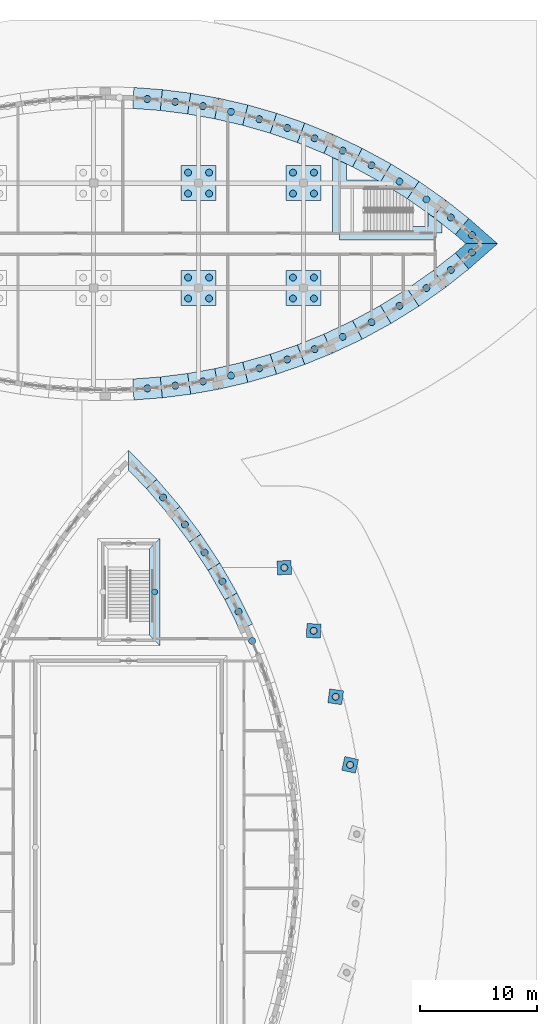
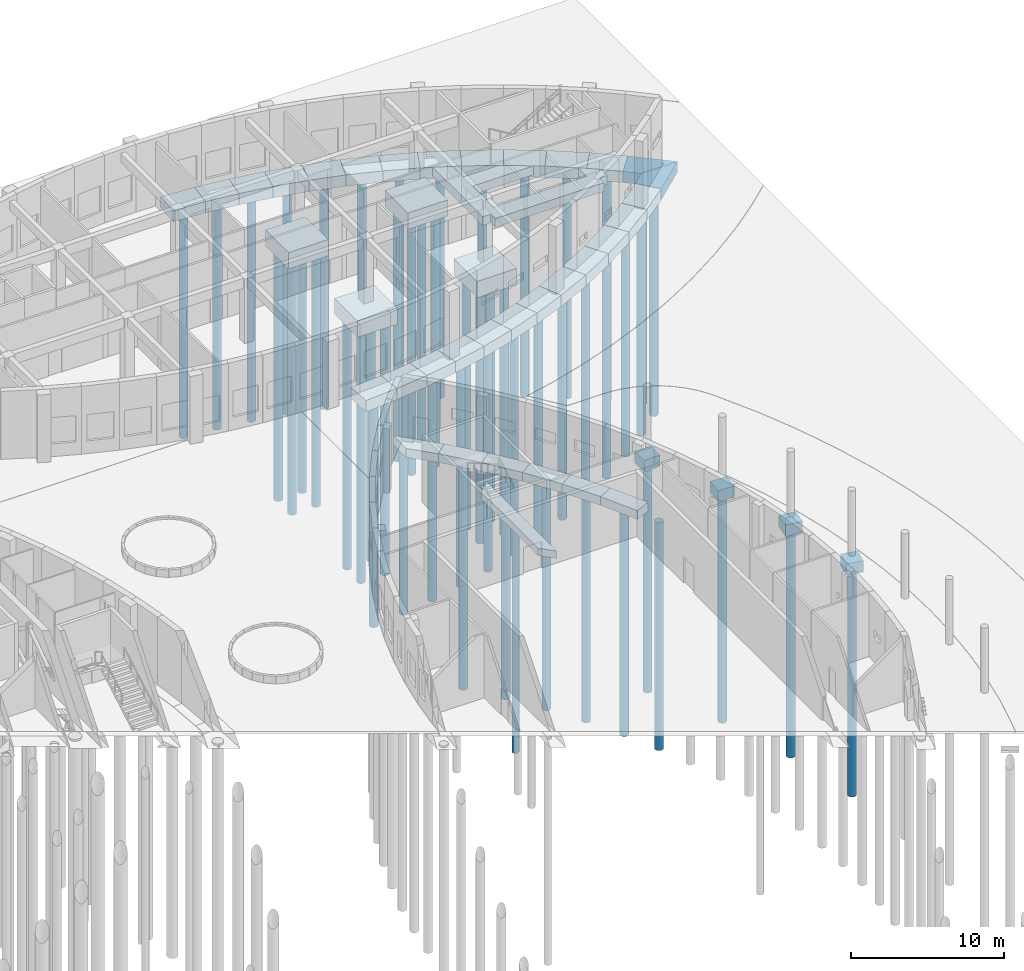
# One storey, part 10 of 82: 53 piles, 42 footings.
"""IFC4 building model written with IfcOpenShell, lengths in metres."""

from ifc_helpers import new_model, si_unit, direction, frame, origin, origin_2d, place, context, subcontext, project, spatial, polyline, rectangle, circle, outline, extrude, material, material_profile, profile_set, type_object, element, save


model = new_model("IFC4")

# Units and contexts
model_context = context("Model", 3, precision=1e-05, world=origin(), true_north=direction((0.0, 1.0)))
body_context = subcontext(model_context, "Body", "Model", "MODEL_VIEW")
ifc_project = project(units=[si_unit("LENGTHUNIT", "METRE"), si_unit("AREAUNIT", "SQUARE_METRE"), si_unit("VOLUMEUNIT", "CUBIC_METRE"), si_unit("PLANEANGLEUNIT", "RADIAN"), si_unit("MASSUNIT", "GRAM", prefix="KILO")], contexts=[model_context])

# Site, building, storey
site_placement = place(None, origin())
site = spatial("IfcSite", under=ifc_project, at=site_placement, CompositionType="ELEMENT")
building_placement = place(site_placement, origin())
building = spatial("IfcBuilding", under=site, at=building_placement, Name="Tide Square Theatres", CompositionType="ELEMENT")
storey_placement = place(building_placement, origin())
storey = spatial("IfcBuildingStorey", under=building, at=storey_placement, Name="L00", CompositionType="ELEMENT", Elevation=0.0)

# Piles
ifc_material_1 = material(Name="Concrete C30", Category="concrete")
ifc_material_profile_1 = material_profile(ifc_material_1, circle(Radius=0.25, at=origin_2d()))
ifc_profile_set_1 = profile_set([ifc_material_profile_1], Name="Concrete C30")
pile_type_1 = type_object("IfcPileType", Name="Bored pile D500", PredefinedType="BORED", material=ifc_profile_set_1)
pile_placement = place(storey_placement, frame((134.22509765625, 67.925048828125, -0.699951171875), z_axis=(0.0, 0.0, -1.0), x_axis=(1.0, 0.0, 0.0)))
element("IfcPile", 1, at=pile_placement, inside=storey, type_object=pile_type_1, Name="Bored pile 061", PredefinedType="BORED", context=body_context, shape_type="SweptSolid", body=[
    extrude(circle(Radius=0.25, at=origin_2d()), origin(), (0.0, 0.0, 1.0), 18.14990234375),
])
ifc_material_2 = material(Name="Concrete C30", Category="concrete")
ifc_material_profile_2 = material_profile(ifc_material_2, circle(Radius=0.300048828125, at=origin_2d()))
ifc_profile_set_2 = profile_set([ifc_material_profile_2], Name="Concrete C30")
pile_type_2 = type_object("IfcPileType", Name="Bored pile D600", PredefinedType="BORED", material=ifc_profile_set_2)
for number, where, z_axis, x_axis, name in (
    (2, (151.00390625, 53.078369140625, -1.0), (0.0, 0.0, -1.0), (1.0, 0.0, 0.0), "Foyer bored pile"),
    (3, (149.7646484375, 58.919921875, -1.0), (0.0, 0.0, -1.0), (1.0, 0.0, 0.0), "Foyer bored pile"),
    (4, (147.872802734375, 64.583740234375, -1.0), (0.0, 0.0, -1.0), (1.0, 0.0, 0.0), "Foyer bored pile"),
    (5, (145.357666015625, 70.0, -1.0), (0.0, 0.0, -1.0), (1.0, 0.0, 0.0), "Foyer bored pile"),
    (6, (142.594482421875, 63.70751953125, -0.800048828125), (0.0, 0.0, -1.0), (1.0, 0.0, 0.0), "Bored pile 022"),
    (7, (141.4287109375, 66.2294921875, -0.800048828125), (0.0, 0.0, -1.0), (1.0, 0.0, 0.0), "Bored pile 023"),
    (8, (140.046875, 68.813720703125, -0.800048828125), (0.0, 0.0, -1.0), (1.0, 0.0, 0.0), "Bored pile 024"),
    (9, (138.50927734375, 71.307861328125, -0.800048828125), (0.0, 0.0, -1.0), (1.0, 0.0, 0.0), "Bored pile 025"),
    (10, (136.821533203125, 73.703125, -0.800048828125), (0.0, 0.0, -1.0), (1.0, 0.0, 0.0), "Bored pile 026"),
    (11, (134.95654296875, 76.027587890625, -0.800048828125), (0.0, 0.0, -1.0), (1.0, 0.0, 0.0), "Bored pile 027"),
    (12, (133.604736328125, 85.382568359375, -1.0), (0.0, 0.0, -1.0), (1.0, 0.0, 0.0), "Rehearsal Block wall pile 16"),
    (13, (135.997802734375, 85.624267578125, -1.0), (0.0, 0.0, -1.0), (1.0, 0.0, 0.0), "Rehearsal Block wall pile 17"),
    (14, (138.37548828125, 85.986083984375, -1.0), (0.0, 0.0, -1.0), (1.0, 0.0, 0.0), "Rehearsal Block wall pile 18"),
    (15, (140.783203125, 86.48046875, -1.0), (0.0, 0.0, -1.0), (1.0, 0.0, 0.0), "Rehearsal Block wall pile 19"),
    (16, (143.212890625, 87.11083984375, -1.0), (0.0, 0.0, -1.0), (1.0, 0.0, 0.0), "Rehearsal Block wall pile 20"),
    (17, (145.606201171875, 87.8681640625, -1.0), (0.0, 0.0, -1.0), (1.0, 0.0, 0.0), "Rehearsal Block wall pile 21"),
    (18, (147.956298828125, 88.75, -1.0), (0.0, 0.0, -1.0), (1.0, 0.0, 0.0), "Rehearsal Block wall pile 22"),
    (19, (150.37353515625, 89.812744140625, -1.0), (0.0, 0.0, -1.0), (1.0, 0.0, 0.0), "Rehearsal Block wall pile 23"),
    (20, (152.844482421875, 91.06640625, -1.0), (0.0, 0.0, -1.0), (1.0, 0.0, 0.0), "Rehearsal Block wall pile 24"),
    (21, (155.238525390625, 92.461181640625, -1.0), (0.0, 0.0, -1.0), (1.0, 0.0, 0.0), "Rehearsal Block wall pile 25"),
    (22, (157.547607421875, 93.992431640625, -1.0), (0.0, 0.0, -1.0), (1.0, 0.0, 0.0), "Rehearsal Block wall pile 26"),
    (23, (159.646484375, 95.555908203125, -1.0), (0.0, 0.0, -1.0), (1.0, 0.0, 0.0), "Rehearsal Block wall pile 27"),
    (24, (161.454833984375, 97.06005859375, -1.0), (0.0, 0.0, -1.0), (1.0, 0.0, 0.0), "Rehearsal Block wall pile 28"),
    (25, (161.454833984375, 98.539794921875, -1.0), (0.0, 0.0, -1.0), (1.0, 0.0, 0.0), "Rehearsal Block wall pile 29"),
    (26, (159.646484375, 100.044189453125, -1.0), (0.0, 0.0, -1.0), (1.0, 0.0, 0.0), "Rehearsal Block wall pile 30"),
    (27, (157.547607421875, 101.607666015625, -1.0), (0.0, 0.0, -1.0), (1.0, 0.0, 0.0), "Rehearsal Block wall pile 31"),
    (28, (155.238525390625, 103.138916015625, -1.0), (0.0, 0.0, -1.0), (1.0, 0.0, 0.0), "Rehearsal Block wall pile 32"),
    (29, (152.844482421875, 104.533447265625, -1.0), (0.0, 0.0, -1.0), (1.0, 0.0, 0.0), "Rehearsal Block wall pile 33"),
    (30, (150.37353515625, 105.787109375, -1.0), (0.0, 0.0, -1.0), (1.0, 0.0, 0.0), "Rehearsal Block wall pile 34"),
    (31, (147.956298828125, 106.85009765625, -1.0), (0.0, 0.0, -1.0), (1.0, 0.0, 0.0), "Rehearsal Block wall pile 35"),
    (32, (145.606201171875, 107.73193359375, -1.0), (0.0, 0.0, -1.0), (1.0, 0.0, 0.0), "Rehearsal Block wall pile 36"),
    (33, (143.212890625, 108.489013671875, -1.0), (0.0, 0.0, -1.0), (1.0, 0.0, 0.0), "Rehearsal Block wall pile 37"),
    (34, (140.783203125, 109.11962890625, -1.0), (0.0, 0.0, -1.0), (1.0, 0.0, 0.0), "Rehearsal Block wall pile 38"),
    (35, (138.37548828125, 109.61376953125, -1.0), (0.0, 0.0, -1.0), (1.0, 0.0, 0.0), "Rehearsal Block wall pile 39"),
    (36, (135.997802734375, 109.9755859375, -1.0), (0.0, 0.0, -1.0), (1.0, 0.0, 0.0), "Rehearsal Block wall pile 40"),
    (37, (133.604736328125, 110.21728515625, -1.0), (0.0, 0.0, -1.0), (1.0, 0.0, 0.0), "Rehearsal Block wall pile 41"),
):
    element("IfcPile", number, at=place(storey_placement, frame(where, z_axis=z_axis, x_axis=x_axis)), inside=storey, type_object=pile_type_2, Name=name, PredefinedType="BORED", context=body_context, shape_type="SweptSolid", body=[
        extrude(circle(Radius=0.300048828125, at=origin_2d()), origin(), (0.0, 0.0, 1.0), 18.14990234375),
    ])
for number, where, z_axis, x_axis, name in (
    (38, (137.10009765625, 93.10009765625, -1.39990234375), (0.0, 0.0, -1.0), (1.0, 0.0, 0.0), "Rehearsal Block column pile 6.1"),
    (39, (138.89990234375, 93.10009765625, -1.39990234375), (0.0, 0.0, -1.0), (1.0, 0.0, 0.0), "Rehearsal Block column pile 6.2"),
    (40, (138.89990234375, 94.89990234375, -1.39990234375), (0.0, 0.0, -1.0), (1.0, 0.0, 0.0), "Rehearsal Block column pile 6.3"),
    (41, (137.10009765625, 94.89990234375, -1.39990234375), (0.0, 0.0, -1.0), (1.0, 0.0, 0.0), "Rehearsal Block column pile 6.4"),
    (42, (137.10009765625, 102.10009765625, -1.39990234375), (0.0, 0.0, -1.0), (1.0, 0.0, 0.0), "Rehearsal Block column pile 7.1"),
    (43, (138.89990234375, 102.10009765625, -1.39990234375), (0.0, 0.0, -1.0), (1.0, 0.0, 0.0), "Rehearsal Block column pile 7.2"),
    (44, (138.89990234375, 103.89990234375, -1.39990234375), (0.0, 0.0, -1.0), (1.0, 0.0, 0.0), "Rehearsal Block column pile 7.3"),
    (45, (137.10009765625, 103.89990234375, -1.39990234375), (0.0, 0.0, -1.0), (1.0, 0.0, 0.0), "Rehearsal Block column pile 7.4"),
    (46, (146.10009765625, 93.10009765625, -1.39990234375), (0.0, 0.0, -1.0), (1.0, 0.0, 0.0), "Rehearsal Block column pile 8.1"),
    (47, (147.89990234375, 93.10009765625, -1.39990234375), (0.0, 0.0, -1.0), (1.0, 0.0, 0.0), "Rehearsal Block column pile 8.2"),
    (48, (147.89990234375, 94.89990234375, -1.39990234375), (0.0, 0.0, -1.0), (1.0, 0.0, 0.0), "Rehearsal Block column pile 8.3"),
    (49, (146.10009765625, 94.89990234375, -1.39990234375), (0.0, 0.0, -1.0), (1.0, 0.0, 0.0), "Rehearsal Block column pile 8.4"),
    (50, (146.10009765625, 102.10009765625, -1.39990234375), (0.0, 0.0, -1.0), (1.0, 0.0, 0.0), "Rehearsal Block column pile 9.1"),
    (51, (147.89990234375, 102.10009765625, -1.39990234375), (0.0, 0.0, -1.0), (1.0, 0.0, 0.0), "Rehearsal Block column pile 9.2"),
    (52, (147.89990234375, 103.89990234375, -1.39990234375), (0.0, 0.0, -1.0), (1.0, 0.0, 0.0), "Rehearsal Block column pile 9.3"),
    (53, (146.10009765625, 103.89990234375, -1.39990234375), (0.0, 0.0, -1.0), (1.0, 0.0, 0.0), "Rehearsal Block column pile 9.4"),
):
    element("IfcPile", number, at=place(storey_placement, frame(where, z_axis=z_axis, x_axis=x_axis)), inside=storey, type_object=pile_type_2, Name=name, PredefinedType="BORED", context=body_context, shape_type="SweptSolid", body=[
        extrude(circle(Radius=0.300048828125, at=origin_2d()), origin(), (0.0, 0.0, 1.0), 20.14990234375),
    ])

# Footings
ifc_material_3 = material(Name="Concrete C35", Category="concrete")
footing_type_1 = type_object("IfcFootingType", Name="Pile cap 1 piles D600", PredefinedType="PILE_CAP", material=ifc_material_3)
for number, where, z_axis, x_axis, name in (
    (54, (151.00390625, 53.078369140625, -1.14990234375), (0.0, 0.0, 1.0), (0.217373283772, 0.976088549007, 0.0), "Foyer pile cap"),
    (55, (149.7646484375, 58.919921875, -1.14990234375), (0.0, 0.0, 1.0), (0.136773753699, 0.990602311879, 0.0), "Foyer pile cap"),
    (56, (147.872802734375, 64.583740234375, -1.14990234375), (0.0, 0.0, 1.0), (0.053407832351, 0.998572783248, 0.0), "Foyer pile cap"),
    (57, (145.357666015625, 70.0, -1.14990234375), (0.0, 0.0, 1.0), (-0.032577786518, 0.99946920304, 0.0), "Foyer pile cap"),
):
    element("IfcFooting", number, at=place(storey_placement, frame(where, z_axis=z_axis, x_axis=x_axis)), inside=storey, type_object=footing_type_1, Name=name, PredefinedType="PILE_CAP", context=body_context, shape_type="SweptSolid", body=[
        extrude(rectangle(XDim=1.199951171875, YDim=1.199951171875, at=origin_2d()), origin(), (0.0, 0.0, 1.0), 0.89990234375),
    ])
ifc_material_4 = material(Name="Concrete C35", Category="concrete")
footing_type_2 = type_object("IfcFootingType", Name="Pile cap 4 piles D600", PredefinedType="PILE_CAP", material=ifc_material_4)
footing_1_placement = place(storey_placement, frame((0.0, 0.0, -1.550048828125)))
element("IfcFooting", 58, at=footing_1_placement, inside=storey, type_object=footing_type_2, Name="Rehearsal Block pile cap 6", PredefinedType="PILE_CAP", context=body_context, shape_type="SweptSolid", body=[
    extrude(outline(polyline([(136.5, 92.5), (139.5, 92.5), (139.5, 95.5), (136.5, 95.5), (136.5, 92.5)])), origin(), (0.0, 0.0, 1.0), 1.300048828125),
])
footing_2_placement = place(storey_placement, frame((0.0, 0.0, -1.550048828125)))
element("IfcFooting", 59, at=footing_2_placement, inside=storey, type_object=footing_type_2, Name="Rehearsal Block pile cap 7", PredefinedType="PILE_CAP", context=body_context, shape_type="SweptSolid", body=[
    extrude(outline(polyline([(136.5, 101.5), (139.5, 101.5), (139.5, 104.5), (136.5, 104.5), (136.5, 101.5)])), origin(), (0.0, 0.0, 1.0), 1.300048828125),
])
footing_3_placement = place(storey_placement, frame((0.0, 0.0, -1.550048828125)))
element("IfcFooting", 60, at=footing_3_placement, inside=storey, type_object=footing_type_2, Name="Rehearsal Block pile cap 8", PredefinedType="PILE_CAP", context=body_context, shape_type="SweptSolid", body=[
    extrude(outline(polyline([(145.5, 92.5), (148.5, 92.5), (148.5, 95.5), (145.5, 95.5), (145.5, 92.5)])), origin(), (0.0, 0.0, 1.0), 1.300048828125),
])
footing_4_placement = place(storey_placement, frame((0.0, 0.0, -1.550048828125)))
element("IfcFooting", 61, at=footing_4_placement, inside=storey, type_object=footing_type_2, Name="Rehearsal Block pile cap 9", PredefinedType="PILE_CAP", context=body_context, shape_type="SweptSolid", body=[
    extrude(outline(polyline([(145.5, 101.5), (148.5, 101.5), (148.5, 104.5), (145.5, 104.5), (145.5, 101.5)])), origin(), (0.0, 0.0, 1.0), 1.300048828125),
])
ifc_material_5 = material(Name="Concrete C35", Category="concrete")
footing_type_3 = type_object("IfcFootingType", Name="Strip footing 1200 x 700", PredefinedType="STRIP_FOOTING", material=ifc_material_5)
footing_5_placement = place(storey_placement, frame((0.0, 0.0, -0.949951171875)))
element("IfcFooting", 62, at=footing_5_placement, inside=storey, type_object=footing_type_3, Name="Black Box Theatre wall strip footing 023", PredefinedType="STRIP_FOOTING", context=body_context, shape_type="SweptSolid", body=[
    extrude(outline(polyline([(142.62548828125, 65.167236328125), (141.306884765625, 67.825927734375), (140.248046875, 67.259765625), (141.534912109375, 64.665283203125), (142.62548828125, 65.167236328125)])), origin(), (0.0, 0.0, 1.0), 0.699951171875),
])
footing_6_placement = place(storey_placement, frame((0.0, 0.0, -0.949951171875)))
element("IfcFooting", 63, at=footing_6_placement, inside=storey, type_object=footing_type_3, Name="Black Box Theatre wall strip footing 024", PredefinedType="STRIP_FOOTING", context=body_context, shape_type="SweptSolid", body=[
    extrude(outline(polyline([(141.306884765625, 67.825927734375), (139.827392578125, 70.3994140625), (138.805419921875, 69.769287109375), (140.248046875, 67.259765625), (141.306884765625, 67.825927734375)])), origin(), (0.0, 0.0, 1.0), 0.699951171875),
])
footing_7_placement = place(storey_placement, frame((0.0, 0.0, -0.949951171875)))
element("IfcFooting", 64, at=footing_7_placement, inside=storey, type_object=footing_type_3, Name="Black Box Theatre wall strip footing 025", PredefinedType="STRIP_FOOTING", context=body_context, shape_type="SweptSolid", body=[
    extrude(outline(polyline([(139.827392578125, 70.3994140625), (138.19287109375, 72.877197265625), (137.21142578125, 72.185791015625), (138.805419921875, 69.769287109375), (139.827392578125, 70.3994140625)])), origin(), (0.0, 0.0, 1.0), 0.699951171875),
])
footing_8_placement = place(storey_placement, frame((0.0, 0.0, -0.949951171875)))
element("IfcFooting", 65, at=footing_8_placement, inside=storey, type_object=footing_type_3, Name="Black Box Theatre wall strip footing 026", PredefinedType="STRIP_FOOTING", context=body_context, shape_type="SweptSolid", body=[
    extrude(outline(polyline([(138.19287109375, 72.877197265625), (136.409423828125, 75.250244140625), (135.47265625, 74.49951171875), (137.21142578125, 72.185791015625), (138.19287109375, 72.877197265625)])), origin(), (0.0, 0.0, 1.0), 0.699951171875),
])
footing_9_placement = place(storey_placement, frame((0.0, 0.0, -0.949951171875)))
element("IfcFooting", 66, at=footing_9_placement, inside=storey, type_object=footing_type_3, Name="Black Box Theatre wall strip footing 027", PredefinedType="STRIP_FOOTING", context=body_context, shape_type="SweptSolid", body=[
    extrude(outline(polyline([(136.409423828125, 75.250244140625), (134.416015625, 77.58447265625), (133.528076171875, 76.776123046875), (135.47265625, 74.49951171875), (136.409423828125, 75.250244140625)])), origin(), (0.0, 0.0, 1.0), 0.699951171875),
])
footing_10_placement = place(storey_placement, frame((0.0, 0.0, -0.949951171875)))
element("IfcFooting", 67, at=footing_10_placement, inside=storey, type_object=footing_type_3, Name="Black Box Theatre wall strip footing 028", PredefinedType="STRIP_FOOTING", context=body_context, shape_type="SweptSolid", body=[
    extrude(outline(polyline([(134.416015625, 77.58447265625), (132.0, 80.074462890625), (132.0, 78.35107421875), (133.528076171875, 76.776123046875), (134.416015625, 77.58447265625)])), origin(), (0.0, 0.0, 1.0), 0.699951171875),
])
footing_11_placement = place(storey_placement, frame((0.0, 0.0, -0.949951171875)))
element("IfcFooting", 68, at=footing_11_placement, inside=storey, type_object=footing_type_3, Name="Rehearsal Block core wall footing 2", PredefinedType="STRIP_FOOTING", context=body_context, shape_type="SweptSolid", body=[
    extrude(outline(polyline([(158.300048828125, 98.699951171875), (158.89990234375, 98.699951171875), (158.89990234375, 99.487060546875), (158.14111328125, 100.08740234375), (157.699951171875, 100.398681640625), (157.699951171875, 99.300048828125), (150.699951171875, 99.300048828125), (150.699951171875, 102.050048828125), (155.284912109375, 102.050048828125), (153.6083984375, 103.093017578125), (153.31982421875, 103.25), (150.699951171875, 103.25), (150.699951171875, 104.63818359375), (149.5, 105.203857421875), (149.5, 102.64990234375), (149.5, 98.699951171875), (150.10009765625, 98.699951171875), (150.10009765625, 98.10009765625), (158.300048828125, 98.10009765625), (158.300048828125, 98.699951171875)])), origin(), (0.0, 0.0, 1.0), 0.699951171875),
])
ifc_material_6 = material(Name="Concrete C35", Category="concrete")
footing_type_4 = type_object("IfcFootingType", Name="Strip footing 1800 x 900", PredefinedType="STRIP_FOOTING", material=ifc_material_6)
footing_12_placement = place(storey_placement, frame((0.0, 0.0, -1.14990234375)))
element("IfcFooting", 69, at=footing_12_placement, inside=storey, type_object=footing_type_4, Name="Rehearsal Block strip footing 16", PredefinedType="STRIP_FOOTING", context=body_context, shape_type="SweptSolid", body=[
    extrude(outline(polyline([(132.450439453125, 84.392822265625), (134.894775390625, 84.57763671875), (134.7138671875, 86.369140625), (132.35986328125, 86.19091796875), (132.450439453125, 84.392822265625)])), origin(), (0.0, 0.0, 1.0), 0.89990234375),
])
footing_13_placement = place(storey_placement, frame((0.0, 0.0, -1.14990234375)))
element("IfcFooting", 70, at=footing_13_placement, inside=storey, type_object=footing_type_4, Name="Rehearsal Block strip footing 17", PredefinedType="STRIP_FOOTING", context=body_context, shape_type="SweptSolid", body=[
    extrude(outline(polyline([(134.894775390625, 84.57763671875), (137.32666015625, 84.88525390625), (137.055908203125, 86.665283203125), (134.7138671875, 86.369140625), (134.894775390625, 84.57763671875)])), origin(), (0.0, 0.0, 1.0), 0.89990234375),
])
footing_14_placement = place(storey_placement, frame((0.0, 0.0, -1.14990234375)))
element("IfcFooting", 71, at=footing_14_placement, inside=storey, type_object=footing_type_4, Name="Rehearsal Block strip footing 18", PredefinedType="STRIP_FOOTING", context=body_context, shape_type="SweptSolid", body=[
    extrude(outline(polyline([(137.32666015625, 84.88525390625), (139.740478515625, 85.31494140625), (139.37939453125, 87.0791015625), (137.055908203125, 86.665283203125), (137.32666015625, 84.88525390625)])), origin(), (0.0, 0.0, 1.0), 0.89990234375),
])
footing_15_placement = place(storey_placement, frame((0.0, 0.0, -1.14990234375)))
element("IfcFooting", 72, at=footing_15_placement, inside=storey, type_object=footing_type_4, Name="Rehearsal Block strip footing 19", PredefinedType="STRIP_FOOTING", context=body_context, shape_type="SweptSolid", body=[
    extrude(outline(polyline([(139.740478515625, 85.31494140625), (142.232421875, 85.892333984375), (141.7802734375, 87.63525390625), (139.37939453125, 87.0791015625), (139.740478515625, 85.31494140625)])), origin(), (0.0, 0.0, 1.0), 0.89990234375),
])
footing_16_placement = place(storey_placement, frame((0.0, 0.0, -1.14990234375)))
element("IfcFooting", 73, at=footing_16_placement, inside=storey, type_object=footing_type_4, Name="Rehearsal Block strip footing 20", PredefinedType="STRIP_FOOTING", context=body_context, shape_type="SweptSolid", body=[
    extrude(outline(polyline([(142.232421875, 85.892333984375), (144.691162109375, 86.599609375), (144.14794921875, 88.31640625), (141.7802734375, 87.63525390625), (142.232421875, 85.892333984375)])), origin(), (0.0, 0.0, 1.0), 0.89990234375),
])
footing_17_placement = place(storey_placement, frame((0.0, 0.0, -1.14990234375)))
element("IfcFooting", 74, at=footing_17_placement, inside=storey, type_object=footing_type_4, Name="Rehearsal Block strip footing 21", PredefinedType="STRIP_FOOTING", context=body_context, shape_type="SweptSolid", body=[
    extrude(outline(polyline([(144.691162109375, 86.599609375), (147.109130859375, 87.435302734375), (146.4765625, 89.12109375), (144.14794921875, 88.31640625), (144.691162109375, 86.599609375)])), origin(), (0.0, 0.0, 1.0), 0.89990234375),
])
footing_18_placement = place(storey_placement, frame((0.0, 0.0, -1.14990234375)))
element("IfcFooting", 75, at=footing_18_placement, inside=storey, type_object=footing_type_4, Name="Rehearsal Block strip footing 22", PredefinedType="STRIP_FOOTING", context=body_context, shape_type="SweptSolid", body=[
    extrude(outline(polyline([(147.109130859375, 87.435302734375), (149.48095703125, 88.39697265625), (148.758544921875, 90.04638671875), (146.4765625, 89.12109375), (147.109130859375, 87.435302734375)])), origin(), (0.0, 0.0, 1.0), 0.89990234375),
])
footing_19_placement = place(storey_placement, frame((0.0, 0.0, -1.14990234375)))
element("IfcFooting", 76, at=footing_19_placement, inside=storey, type_object=footing_type_4, Name="Rehearsal Block strip footing 23", PredefinedType="STRIP_FOOTING", context=body_context, shape_type="SweptSolid", body=[
    extrude(outline(polyline([(149.48095703125, 88.39697265625), (152.034423828125, 89.600830078125), (151.2197265625, 91.206787109375), (148.758544921875, 90.04638671875), (149.48095703125, 88.39697265625)])), origin(), (0.0, 0.0, 1.0), 0.89990234375),
])
footing_20_placement = place(storey_placement, frame((0.0, 0.0, -1.14990234375)))
element("IfcFooting", 77, at=footing_20_placement, inside=storey, type_object=footing_type_4, Name="Rehearsal Block strip footing 24", PredefinedType="STRIP_FOOTING", context=body_context, shape_type="SweptSolid", body=[
    extrude(outline(polyline([(152.034423828125, 89.600830078125), (154.514892578125, 90.951171875), (153.6083984375, 92.507080078125), (151.2197265625, 91.206787109375), (152.034423828125, 89.600830078125)])), origin(), (0.0, 0.0, 1.0), 0.89990234375),
])
footing_21_placement = place(storey_placement, frame((0.0, 0.0, -1.14990234375)))
element("IfcFooting", 78, at=footing_21_placement, inside=storey, type_object=footing_type_4, Name="Rehearsal Block strip footing 25", PredefinedType="STRIP_FOOTING", context=body_context, shape_type="SweptSolid", body=[
    extrude(outline(polyline([(154.514892578125, 90.951171875), (156.912841796875, 92.44287109375), (155.917724609375, 93.943603515625), (153.6083984375, 92.507080078125), (154.514892578125, 90.951171875)])), origin(), (0.0, 0.0, 1.0), 0.89990234375),
])
footing_22_placement = place(storey_placement, frame((0.0, 0.0, -1.14990234375)))
element("IfcFooting", 79, at=footing_22_placement, inside=storey, type_object=footing_type_4, Name="Rehearsal Block strip footing 26", PredefinedType="STRIP_FOOTING", context=body_context, shape_type="SweptSolid", body=[
    extrude(outline(polyline([(156.912841796875, 92.44287109375), (159.21923828125, 94.0703125), (158.14111328125, 95.5126953125), (155.917724609375, 93.943603515625), (156.912841796875, 92.44287109375)])), origin(), (0.0, 0.0, 1.0), 0.89990234375),
])
footing_23_placement = place(storey_placement, frame((0.0, 0.0, -1.14990234375)))
element("IfcFooting", 80, at=footing_23_placement, inside=storey, type_object=footing_type_4, Name="Rehearsal Block strip footing 27", PredefinedType="STRIP_FOOTING", context=body_context, shape_type="SweptSolid", body=[
    extrude(outline(polyline([(159.21923828125, 94.0703125), (161.189208984375, 95.62890625), (160.0361328125, 97.01171875), (158.14111328125, 95.5126953125), (159.21923828125, 94.0703125)])), origin(), (0.0, 0.0, 1.0), 0.89990234375),
])
footing_24_placement = place(storey_placement, frame((0.0, 0.0, -1.14990234375)))
element("IfcFooting", 81, at=footing_24_placement, inside=storey, type_object=footing_type_4, Name="Rehearsal Block strip footing 28", PredefinedType="STRIP_FOOTING", context=body_context, shape_type="SweptSolid", body=[
    extrude(outline(polyline([(161.189208984375, 95.62890625), (163.66064453125, 97.800048828125), (160.933349609375, 97.800048828125), (160.0361328125, 97.01171875), (161.189208984375, 95.62890625)])), origin(), (0.0, 0.0, 1.0), 0.89990234375),
])
footing_25_placement = place(storey_placement, frame((0.0, 0.0, -1.14990234375)))
element("IfcFooting", 82, at=footing_25_placement, inside=storey, type_object=footing_type_4, Name="Rehearsal Block strip footing 29", PredefinedType="STRIP_FOOTING", context=body_context, shape_type="SweptSolid", body=[
    extrude(outline(polyline([(163.66064453125, 97.800048828125), (161.189208984375, 99.97119140625), (160.0361328125, 98.58837890625), (160.933349609375, 97.800048828125), (163.66064453125, 97.800048828125)])), origin(), (0.0, 0.0, 1.0), 0.89990234375),
])
footing_26_placement = place(storey_placement, frame((0.0, 0.0, -1.14990234375)))
element("IfcFooting", 83, at=footing_26_placement, inside=storey, type_object=footing_type_4, Name="Rehearsal Block strip footing 30", PredefinedType="STRIP_FOOTING", context=body_context, shape_type="SweptSolid", body=[
    extrude(outline(polyline([(161.189208984375, 99.97119140625), (159.21923828125, 101.529541015625), (158.14111328125, 100.08740234375), (160.0361328125, 98.58837890625), (161.189208984375, 99.97119140625)])), origin(), (0.0, 0.0, 1.0), 0.89990234375),
])
footing_27_placement = place(storey_placement, frame((0.0, 0.0, -1.14990234375)))
element("IfcFooting", 84, at=footing_27_placement, inside=storey, type_object=footing_type_4, Name="Rehearsal Block strip footing 31", PredefinedType="STRIP_FOOTING", context=body_context, shape_type="SweptSolid", body=[
    extrude(outline(polyline([(159.21923828125, 101.529541015625), (156.912841796875, 103.1572265625), (155.917724609375, 101.656494140625), (158.14111328125, 100.08740234375), (159.21923828125, 101.529541015625)])), origin(), (0.0, 0.0, 1.0), 0.89990234375),
])
footing_28_placement = place(storey_placement, frame((0.0, 0.0, -1.14990234375)))
element("IfcFooting", 85, at=footing_28_placement, inside=storey, type_object=footing_type_4, Name="Rehearsal Block strip footing 32", PredefinedType="STRIP_FOOTING", context=body_context, shape_type="SweptSolid", body=[
    extrude(outline(polyline([(156.912841796875, 103.1572265625), (154.514892578125, 104.64892578125), (153.6083984375, 103.093017578125), (155.917724609375, 101.656494140625), (156.912841796875, 103.1572265625)])), origin(), (0.0, 0.0, 1.0), 0.89990234375),
])
footing_29_placement = place(storey_placement, frame((0.0, 0.0, -1.14990234375)))
element("IfcFooting", 86, at=footing_29_placement, inside=storey, type_object=footing_type_4, Name="Rehearsal Block strip footing 33", PredefinedType="STRIP_FOOTING", context=body_context, shape_type="SweptSolid", body=[
    extrude(outline(polyline([(154.514892578125, 104.64892578125), (152.034423828125, 105.9990234375), (151.2197265625, 104.393310546875), (153.6083984375, 103.093017578125), (154.514892578125, 104.64892578125)])), origin(), (0.0, 0.0, 1.0), 0.89990234375),
])
footing_30_placement = place(storey_placement, frame((0.0, 0.0, -1.14990234375)))
element("IfcFooting", 87, at=footing_30_placement, inside=storey, type_object=footing_type_4, Name="Rehearsal Block strip footing 34", PredefinedType="STRIP_FOOTING", context=body_context, shape_type="SweptSolid", body=[
    extrude(outline(polyline([(152.034423828125, 105.9990234375), (149.48095703125, 107.202880859375), (148.758544921875, 105.553466796875), (151.2197265625, 104.393310546875), (152.034423828125, 105.9990234375)])), origin(), (0.0, 0.0, 1.0), 0.89990234375),
])
footing_31_placement = place(storey_placement, frame((0.0, 0.0, -1.14990234375)))
element("IfcFooting", 88, at=footing_31_placement, inside=storey, type_object=footing_type_4, Name="Rehearsal Block strip footing 35", PredefinedType="STRIP_FOOTING", context=body_context, shape_type="SweptSolid", body=[
    extrude(outline(polyline([(149.48095703125, 107.202880859375), (147.109130859375, 108.164794921875), (146.4765625, 106.478759765625), (148.758544921875, 105.553466796875), (149.48095703125, 107.202880859375)])), origin(), (0.0, 0.0, 1.0), 0.89990234375),
])
footing_32_placement = place(storey_placement, frame((0.0, 0.0, -1.14990234375)))
element("IfcFooting", 89, at=footing_32_placement, inside=storey, type_object=footing_type_4, Name="Rehearsal Block strip footing 36", PredefinedType="STRIP_FOOTING", context=body_context, shape_type="SweptSolid", body=[
    extrude(outline(polyline([(147.109130859375, 108.164794921875), (144.691162109375, 109.000244140625), (144.14794921875, 107.283447265625), (146.4765625, 106.478759765625), (147.109130859375, 108.164794921875)])), origin(), (0.0, 0.0, 1.0), 0.89990234375),
])
footing_33_placement = place(storey_placement, frame((0.0, 0.0, -1.14990234375)))
element("IfcFooting", 90, at=footing_33_placement, inside=storey, type_object=footing_type_4, Name="Rehearsal Block strip footing 37", PredefinedType="STRIP_FOOTING", context=body_context, shape_type="SweptSolid", body=[
    extrude(outline(polyline([(144.691162109375, 109.000244140625), (142.232421875, 109.707763671875), (141.7802734375, 107.96484375), (144.14794921875, 107.283447265625), (144.691162109375, 109.000244140625)])), origin(), (0.0, 0.0, 1.0), 0.89990234375),
])
footing_34_placement = place(storey_placement, frame((0.0, 0.0, -1.14990234375)))
element("IfcFooting", 91, at=footing_34_placement, inside=storey, type_object=footing_type_4, Name="Rehearsal Block strip footing 38", PredefinedType="STRIP_FOOTING", context=body_context, shape_type="SweptSolid", body=[
    extrude(outline(polyline([(142.232421875, 109.707763671875), (139.740478515625, 110.284912109375), (139.37939453125, 108.52099609375), (141.7802734375, 107.96484375), (142.232421875, 109.707763671875)])), origin(), (0.0, 0.0, 1.0), 0.89990234375),
])
footing_35_placement = place(storey_placement, frame((0.0, 0.0, -1.14990234375)))
element("IfcFooting", 92, at=footing_35_placement, inside=storey, type_object=footing_type_4, Name="Rehearsal Block strip footing 39", PredefinedType="STRIP_FOOTING", context=body_context, shape_type="SweptSolid", body=[
    extrude(outline(polyline([(139.740478515625, 110.284912109375), (137.32666015625, 110.714599609375), (137.055908203125, 108.9345703125), (139.37939453125, 108.52099609375), (139.740478515625, 110.284912109375)])), origin(), (0.0, 0.0, 1.0), 0.89990234375),
])
footing_36_placement = place(storey_placement, frame((0.0, 0.0, -1.14990234375)))
element("IfcFooting", 93, at=footing_36_placement, inside=storey, type_object=footing_type_4, Name="Rehearsal Block strip footing 40", PredefinedType="STRIP_FOOTING", context=body_context, shape_type="SweptSolid", body=[
    extrude(outline(polyline([(137.32666015625, 110.714599609375), (134.894775390625, 111.0224609375), (134.7138671875, 109.23095703125), (137.055908203125, 108.9345703125), (137.32666015625, 110.714599609375)])), origin(), (0.0, 0.0, 1.0), 0.89990234375),
])
footing_37_placement = place(storey_placement, frame((0.0, 0.0, -1.14990234375)))
element("IfcFooting", 94, at=footing_37_placement, inside=storey, type_object=footing_type_4, Name="Rehearsal Block strip footing 41", PredefinedType="STRIP_FOOTING", context=body_context, shape_type="SweptSolid", body=[
    extrude(outline(polyline([(134.894775390625, 111.0224609375), (132.450439453125, 111.207275390625), (132.35986328125, 109.408935546875), (134.7138671875, 109.23095703125), (134.894775390625, 111.0224609375)])), origin(), (0.0, 0.0, 1.0), 0.89990234375),
])
ifc_material_7 = material(Name="Concrete C35", Category="concrete")
footing_type_5 = type_object("IfcFootingType", Name="Strip footing 900 x 600", PredefinedType="STRIP_FOOTING", material=ifc_material_7)
footing_38_placement = place(storey_placement, frame((0.0, 0.0, -0.85009765625)))
element("IfcFooting", 95, at=footing_38_placement, inside=storey, type_object=footing_type_5, Name="Black Box Theatre stair shaft strip footing 061", PredefinedType="STRIP_FOOTING", context=body_context, shape_type="SweptSolid", body=[
    extrude(outline(polyline([(134.675048828125, 63.324951171875), (134.675048828125, 72.52490234375), (133.77490234375, 71.625), (133.77490234375, 64.22509765625), (134.675048828125, 63.324951171875)])), origin(), (0.0, 0.0, 1.0), 0.60009765625),
])

save(model, "model.ifc")
